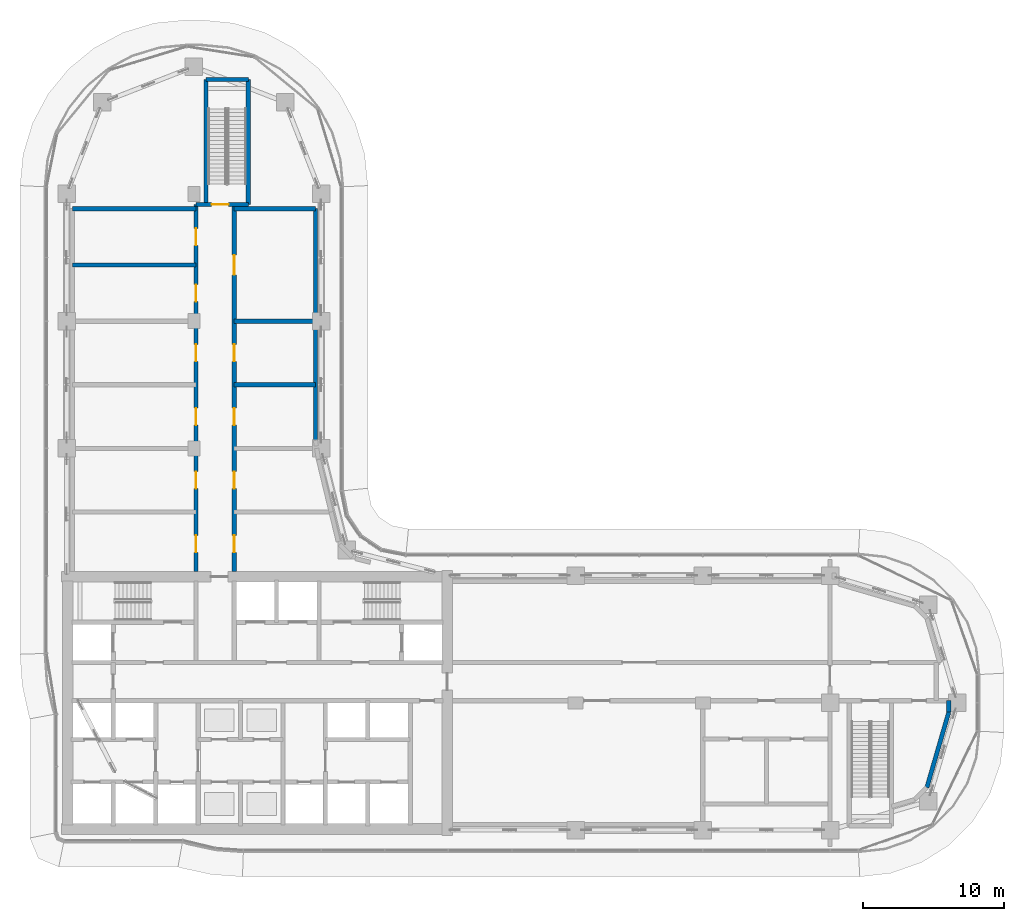
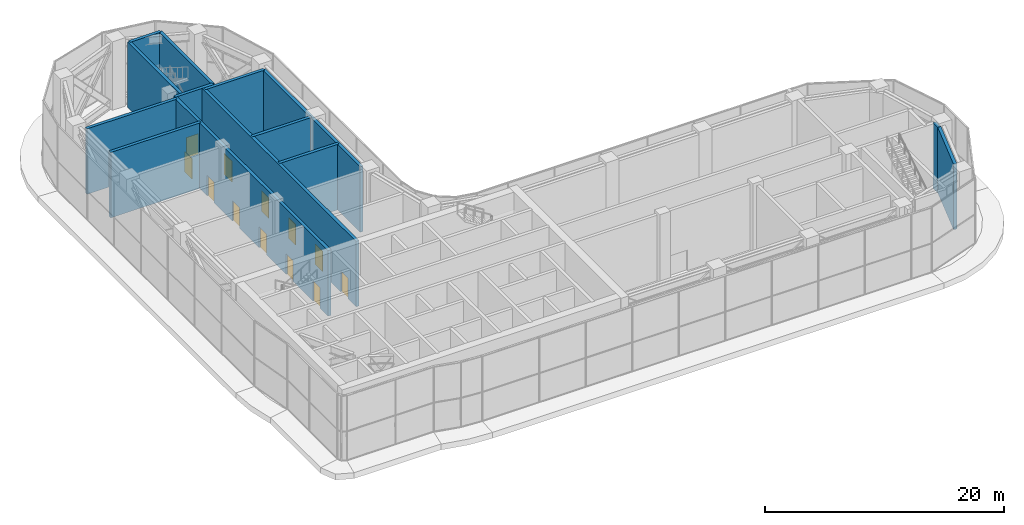
# One storey, part 18 of 35: 14 walls, 12 doors, 12 openings.
"""IFC4 building model written with IfcOpenShell, lengths in metres."""

from ifc_helpers import new_model, si_unit, direction, frame, frame_2d, origin, place, context, subcontext, project, spatial, rectangle, extrude, material, layer, layer_set, type_object, element, fill, save


model = new_model("IFC4")

# Units and contexts
model_context = context("Model", 3, precision=1e-05, world=origin(), true_north=direction((0.0, 1.0)))
body_context = subcontext(model_context, "Body", "Model", "MODEL_VIEW")
ifc_project = project(units=[si_unit("LENGTHUNIT", "METRE"), si_unit("AREAUNIT", "SQUARE_METRE"), si_unit("VOLUMEUNIT", "CUBIC_METRE"), si_unit("PLANEANGLEUNIT", "RADIAN"), si_unit("MASSUNIT", "GRAM", prefix="KILO")], contexts=[model_context])

# Site, building, storey
site_placement = place(None, origin())
site = spatial("IfcSite", under=ifc_project, at=site_placement, CompositionType="ELEMENT")
building_placement = place(site_placement, origin())
building = spatial("IfcBuilding", under=site, at=building_placement, Name="Ogive Portal Towers", CompositionType="ELEMENT")
storey_placement = place(building_placement, frame((0.0, 0.0, 135.199951171875)))
storey = spatial("IfcBuildingStorey", under=building, at=storey_placement, Name="L33", CompositionType="ELEMENT", Elevation=135.199951171875)

# Wall, opening, door
ifc_material_1 = material(Name="Concrete C50/60", Category="concrete")
ifc_layer_1 = layer(ifc_material_1, 0.300048828125)
ifc_layer_set_1 = layer_set([ifc_layer_1], Name="STAIR WALL 300 C50")
wall_type_1 = type_object("IfcWallType", Name="STAIR WALL 300 C50", PredefinedType="SHEAR", material=ifc_layer_set_1)
wall_1_placement = place(storey_placement, frame((40.64990234375, 65.75, 0.0), z_axis=(0.0, 0.0, 1.0), x_axis=(1.0, 0.0, 0.0)))
wall_1 = element("IfcWall", 1, at=wall_1_placement, inside=storey, type_object=wall_type_1, Name="Stair wall ST-A3 L33", PredefinedType="SHEAR", context=body_context, shape_type="SweptSolid", body=[
    extrude(rectangle(XDim=3.7001953125, YDim=0.300048828125, at=frame_2d((1.85009765625, 0.0))), origin(), (0.0, 0.0, 1.0), 6.699951171875),
])
opening_1_placement = place(wall_1_placement, frame((1.10009765625, 0.0, 0.0)))
opening_1 = element("IfcOpeningElement", 2, at=opening_1_placement, cuts=wall_1, Name="Opening D12-048", PredefinedType="OPENING", context=body_context, shape_type="SweptSolid", body=[
    extrude(rectangle(XDim=1.199951171875, YDim=2.10009765625, at=frame_2d((0.60009765625, 1.050048828125))), frame((0.0, 0.16015625, 0.0), z_axis=(0.0, -1.0, 0.0), x_axis=(1.0, 0.0, 0.0)), (0.0, 0.0, 1.0), 0.320068359375),
])
ifc_material_2 = material(Name="Steel fire door", Category="steel")
door_type_1 = type_object("IfcDoorType", Name="DT-STAIR-1200x2100-FD90S", OperationType="SINGLE_SWING_LEFT", PredefinedType="DOOR", material=ifc_material_2)
door_1_placement = place(opening_1_placement, origin())
door_1 = element("IfcDoor", 3, at=door_1_placement, inside=storey, type_object=door_type_1, Name="Door D12-048", OperationType="SINGLE_SWING_RIGHT", OverallHeight=2.10009765625, OverallWidth=1.199951171875, PredefinedType="DOOR", context=body_context, shape_type="SweptSolid", body=[
    extrude(rectangle(XDim=1.199951171875, YDim=2.10009765625, at=frame_2d((0.60009765625, 1.050048828125))), frame((0.0, 0.02490234375, 0.0), z_axis=(0.0, -1.0, 0.0), x_axis=(1.0, 0.0, 0.0)), (0.0, 0.0, 1.0), 0.050048828125),
])
fill(opening_1, door_1)

# Walls
wall_2_placement = place(storey_placement, frame((41.35009765625, 74.60009765625, 0.0), z_axis=(0.0, 0.0, 1.0), x_axis=(1.0, 0.0, 0.0)))
element("IfcWall", 4, at=wall_2_placement, inside=storey, type_object=wall_type_1, Name="Stair wall ST-A3 L33", PredefinedType="SHEAR", context=body_context, shape_type="SweptSolid", body=[
    extrude(rectangle(XDim=3.0, YDim=0.300048828125, at=frame_2d((1.5, 0.0))), origin(), (0.0, 0.0, 1.0), 6.699951171875),
])
for number, where, z_axis, x_axis, name in (
    (5, (41.35009765625, 65.75, 0.0), (0.0, 0.0, 1.0), (0.0, 1.0, 0.0), "Stair wall ST-A3 L33"),
    (6, (44.35009765625, 65.75, 0.0), (0.0, 0.0, 1.0), (0.0, 1.0, 0.0), "Stair wall ST-A3 L33"),
):
    element("IfcWall", number, at=place(storey_placement, frame(where, z_axis=z_axis, x_axis=x_axis)), inside=storey, type_object=wall_type_1, Name=name, PredefinedType="SHEAR", context=body_context, shape_type="SweptSolid", body=[
        extrude(rectangle(XDim=8.85009765625, YDim=0.300048828125, at=frame_2d((4.425048828125, 0.0))), origin(), (0.0, 0.0, 1.0), 6.699951171875),
    ])
ifc_material_3 = material(Name="Gypsum board partition on steel studs", Category="steel")
ifc_layer_2 = layer(ifc_material_3, 0.300048828125)
ifc_layer_set_2 = layer_set([ifc_layer_2], Name="WT-PART-300-EI 60")
wall_type_2 = type_object("IfcWallType", Name="WT-PART-300-EI 60", PredefinedType="PARTITIONING", material=ifc_layer_set_2)
wall_3_placement = place(storey_placement, frame((92.344970703125, 24.510009765625, 0.0), z_axis=(0.0, 0.0, 1.0), x_axis=(0.279240609455, 0.960221163082, 0.0)))
element("IfcWall", 7, at=wall_3_placement, inside=storey, type_object=wall_type_2, Name="Wall L33:w013", PredefinedType="PARTITIONING", context=body_context, shape_type="SweptSolid", body=[
    extrude(rectangle(XDim=5.568359375, YDim=0.300048828125, at=frame_2d((2.7841796875, 0.0))), origin(), (0.0, 0.0, 1.0), 6.699951171875),
])
for number, where, z_axis, x_axis, name in (
    (8, (43.35009765625, 53.0, 0.0), (0.0, 0.0, 1.0), (1.0, 0.0, 0.0), "Wall L33:w028"),
    (9, (43.35009765625, 57.5, 0.0), (0.0, 0.0, 1.0), (1.0, 0.0, 0.0), "Wall L33:w030"),
):
    element("IfcWall", number, at=place(storey_placement, frame(where, z_axis=z_axis, x_axis=x_axis)), inside=storey, type_object=wall_type_2, Name=name, PredefinedType="PARTITIONING", context=body_context, shape_type="SweptSolid", body=[
        extrude(rectangle(XDim=5.75, YDim=0.300048828125, at=frame_2d((2.875, 0.0))), origin(), (0.0, 0.0, 1.0), 6.699951171875),
    ])
for number, where, z_axis, x_axis, name in (
    (10, (31.89990234375, 61.47509765625, 0.0), (0.0, 0.0, 1.0), (1.0, 0.0, 0.0), "Wall L33:w031"),
    (11, (31.89990234375, 65.449951171875, 0.0), (0.0, 0.0, 1.0), (1.0, 0.0, 0.0), "Wall L33:w032"),
):
    element("IfcWall", number, at=place(storey_placement, frame(where, z_axis=z_axis, x_axis=x_axis)), inside=storey, type_object=wall_type_2, Name=name, PredefinedType="PARTITIONING", context=body_context, shape_type="SweptSolid", body=[
        extrude(rectangle(XDim=8.75, YDim=0.300048828125, at=frame_2d((4.375, 0.0))), origin(), (0.0, 0.0, 1.0), 6.699951171875),
    ])
wall_4_placement = place(storey_placement, frame((43.35009765625, 65.449951171875, 0.0), z_axis=(0.0, 0.0, 1.0), x_axis=(1.0, 0.0, 0.0)))
element("IfcWall", 12, at=wall_4_placement, inside=storey, type_object=wall_type_2, Name="Wall L33:w033", PredefinedType="PARTITIONING", context=body_context, shape_type="SweptSolid", body=[
    extrude(rectangle(XDim=5.75, YDim=0.300048828125, at=frame_2d((2.875, 0.0))), origin(), (0.0, 0.0, 1.0), 6.699951171875),
])

# Wall, openings, doors
wall_5_placement = place(storey_placement, frame((40.64990234375, 39.800048828125, 0.0), z_axis=(0.0, 0.0, 1.0), x_axis=(0.0, 1.0, 0.0)))
wall_5 = element("IfcWall", 13, at=wall_5_placement, inside=storey, type_object=wall_type_2, Name="Wall L33:w037", PredefinedType="PARTITIONING", context=body_context, shape_type="SweptSolid", body=[
    extrude(rectangle(XDim=25.949951171875, YDim=0.300048828125, at=frame_2d((12.97509765625, 0.0))), origin(), (0.0, 0.0, 1.0), 6.699951171875),
])
opening_2_placement = place(wall_5_placement, frame((1.35009765625, 0.0, 0.0)))
opening_2 = element("IfcOpeningElement", 14, at=opening_2_placement, cuts=wall_5, Name="Opening D12-036", PredefinedType="OPENING", context=body_context, shape_type="SweptSolid", body=[
    extrude(rectangle(XDim=1.199951171875, YDim=2.10009765625, at=frame_2d((0.60009765625, 1.050048828125))), frame((0.0, 0.16015625, 0.0), z_axis=(0.0, -1.0, 0.0), x_axis=(1.0, 0.0, 0.0)), (0.0, 0.0, 1.0), 0.320068359375),
])
opening_3_placement = place(wall_5_placement, frame((5.85009765625, 0.0, 0.0)))
opening_3 = element("IfcOpeningElement", 15, at=opening_3_placement, cuts=wall_5, Name="Opening D12-037", PredefinedType="OPENING", context=body_context, shape_type="SweptSolid", body=[
    extrude(rectangle(XDim=1.199951171875, YDim=2.10009765625, at=frame_2d((0.60009765625, 1.050048828125))), frame((0.0, 0.16015625, 0.0), z_axis=(0.0, -1.0, 0.0), x_axis=(1.0, 0.0, 0.0)), (0.0, 0.0, 1.0), 0.320068359375),
])
opening_4_placement = place(wall_5_placement, frame((10.35009765625, 0.0, 0.0)))
opening_4 = element("IfcOpeningElement", 16, at=opening_4_placement, cuts=wall_5, Name="Opening D12-040", PredefinedType="OPENING", context=body_context, shape_type="SweptSolid", body=[
    extrude(rectangle(XDim=1.199951171875, YDim=2.10009765625, at=frame_2d((0.60009765625, 1.050048828125))), frame((0.0, 0.16015625, 0.0), z_axis=(0.0, -1.0, 0.0), x_axis=(1.0, 0.0, 0.0)), (0.0, 0.0, 1.0), 0.320068359375),
])
opening_5_placement = place(wall_5_placement, frame((14.85009765625, 0.0, 0.0)))
opening_5 = element("IfcOpeningElement", 17, at=opening_5_placement, cuts=wall_5, Name="Opening D12-041", PredefinedType="OPENING", context=body_context, shape_type="SweptSolid", body=[
    extrude(rectangle(XDim=1.199951171875, YDim=2.10009765625, at=frame_2d((0.60009765625, 1.050048828125))), frame((0.0, 0.16015625, 0.0), z_axis=(0.0, -1.0, 0.0), x_axis=(1.0, 0.0, 0.0)), (0.0, 0.0, 1.0), 0.320068359375),
])
opening_6_placement = place(wall_5_placement, frame((19.0869140625, 0.0, 0.0)))
opening_6 = element("IfcOpeningElement", 18, at=opening_6_placement, cuts=wall_5, Name="Opening D12-043", PredefinedType="OPENING", context=body_context, shape_type="SweptSolid", body=[
    extrude(rectangle(XDim=1.199951171875, YDim=2.10009765625, at=frame_2d((0.60009765625, 1.050048828125))), frame((0.0, 0.16015625, 0.0), z_axis=(0.0, -1.0, 0.0), x_axis=(1.0, 0.0, 0.0)), (0.0, 0.0, 1.0), 0.320068359375),
])
opening_7_placement = place(wall_5_placement, frame((23.06298828125, 0.0, 0.0)))
opening_7 = element("IfcOpeningElement", 19, at=opening_7_placement, cuts=wall_5, Name="Opening D12-044", PredefinedType="OPENING", context=body_context, shape_type="SweptSolid", body=[
    extrude(rectangle(XDim=1.199951171875, YDim=2.10009765625, at=frame_2d((0.60009765625, 1.050048828125))), frame((0.0, 0.16015625, 0.0), z_axis=(0.0, -1.0, 0.0), x_axis=(1.0, 0.0, 0.0)), (0.0, 0.0, 1.0), 0.320068359375),
])
door_type_2 = type_object("IfcDoorType", Name="DT-ENTRY-1200x2100-FD60S", OperationType="SINGLE_SWING_LEFT", PredefinedType="DOOR", material=ifc_material_2)
door_2_placement = place(opening_2_placement, origin())
door_2 = element("IfcDoor", 20, at=door_2_placement, inside=storey, type_object=door_type_2, Name="Door D12-036", OperationType="SINGLE_SWING_RIGHT", OverallHeight=2.10009765625, OverallWidth=1.199951171875, PredefinedType="DOOR", context=body_context, shape_type="SweptSolid", body=[
    extrude(rectangle(XDim=1.199951171875, YDim=2.10009765625, at=frame_2d((0.60009765625, 1.050048828125))), frame((0.0, 0.02490234375, 0.0), z_axis=(0.0, -1.0, 0.0), x_axis=(1.0, 0.0, 0.0)), (0.0, 0.0, 1.0), 0.050048828125),
])
fill(opening_2, door_2)
door_3_placement = place(opening_3_placement, origin())
door_3 = element("IfcDoor", 21, at=door_3_placement, inside=storey, type_object=door_type_2, Name="Door D12-037", OperationType="SINGLE_SWING_LEFT", OverallHeight=2.10009765625, OverallWidth=1.199951171875, PredefinedType="DOOR", context=body_context, shape_type="SweptSolid", body=[
    extrude(rectangle(XDim=1.199951171875, YDim=2.10009765625, at=frame_2d((0.60009765625, 1.050048828125))), frame((0.0, 0.02490234375, 0.0), z_axis=(0.0, -1.0, 0.0), x_axis=(1.0, 0.0, 0.0)), (0.0, 0.0, 1.0), 0.050048828125),
])
fill(opening_3, door_3)
door_4_placement = place(opening_4_placement, origin())
door_4 = element("IfcDoor", 22, at=door_4_placement, inside=storey, type_object=door_type_2, Name="Door D12-040", OperationType="SINGLE_SWING_LEFT", OverallHeight=2.10009765625, OverallWidth=1.199951171875, PredefinedType="DOOR", context=body_context, shape_type="SweptSolid", body=[
    extrude(rectangle(XDim=1.199951171875, YDim=2.10009765625, at=frame_2d((0.60009765625, 1.050048828125))), frame((0.0, 0.02490234375, 0.0), z_axis=(0.0, -1.0, 0.0), x_axis=(1.0, 0.0, 0.0)), (0.0, 0.0, 1.0), 0.050048828125),
])
fill(opening_4, door_4)
door_5_placement = place(opening_5_placement, origin())
door_5 = element("IfcDoor", 23, at=door_5_placement, inside=storey, type_object=door_type_2, Name="Door D12-041", OperationType="SINGLE_SWING_LEFT", OverallHeight=2.10009765625, OverallWidth=1.199951171875, PredefinedType="DOOR", context=body_context, shape_type="SweptSolid", body=[
    extrude(rectangle(XDim=1.199951171875, YDim=2.10009765625, at=frame_2d((0.60009765625, 1.050048828125))), frame((0.0, 0.02490234375, 0.0), z_axis=(0.0, -1.0, 0.0), x_axis=(1.0, 0.0, 0.0)), (0.0, 0.0, 1.0), 0.050048828125),
])
fill(opening_5, door_5)
door_6_placement = place(opening_6_placement, origin())
door_6 = element("IfcDoor", 24, at=door_6_placement, inside=storey, type_object=door_type_2, Name="Door D12-043", OperationType="SINGLE_SWING_RIGHT", OverallHeight=2.10009765625, OverallWidth=1.199951171875, PredefinedType="DOOR", context=body_context, shape_type="SweptSolid", body=[
    extrude(rectangle(XDim=1.199951171875, YDim=2.10009765625, at=frame_2d((0.60009765625, 1.050048828125))), frame((0.0, 0.02490234375, 0.0), z_axis=(0.0, -1.0, 0.0), x_axis=(1.0, 0.0, 0.0)), (0.0, 0.0, 1.0), 0.050048828125),
])
fill(opening_6, door_6)
door_7_placement = place(opening_7_placement, origin())
door_7 = element("IfcDoor", 25, at=door_7_placement, inside=storey, type_object=door_type_2, Name="Door D12-044", OperationType="SINGLE_SWING_LEFT", OverallHeight=2.10009765625, OverallWidth=1.199951171875, PredefinedType="DOOR", context=body_context, shape_type="SweptSolid", body=[
    extrude(rectangle(XDim=1.199951171875, YDim=2.10009765625, at=frame_2d((0.60009765625, 1.050048828125))), frame((0.0, 0.02490234375, 0.0), z_axis=(0.0, -1.0, 0.0), x_axis=(1.0, 0.0, 0.0)), (0.0, 0.0, 1.0), 0.050048828125),
])
fill(opening_7, door_7)

# Walls
wall_6_placement = place(storey_placement, frame((49.10009765625, 49.069091796875, 0.0), z_axis=(0.0, 0.0, 1.0), x_axis=(0.0, 1.0, 0.0)))
element("IfcWall", 26, at=wall_6_placement, inside=storey, type_object=wall_type_2, Name="Wall L33:w041", PredefinedType="PARTITIONING", context=body_context, shape_type="SweptSolid", body=[
    extrude(rectangle(XDim=16.380859375, YDim=0.300048828125, at=frame_2d((8.1904296875, 0.0))), origin(), (0.0, 0.0, 1.0), 6.699951171875),
])
wall_7_placement = place(storey_placement, frame((93.89990234375, 29.85693359375, 0.0), z_axis=(0.0, 0.0, 1.0), x_axis=(0.0, 1.0, 0.0)))
element("IfcWall", 27, at=wall_7_placement, inside=storey, type_object=wall_type_2, Name="Wall L33:w047", PredefinedType="PARTITIONING", context=body_context, shape_type="SweptSolid", body=[
    extrude(rectangle(XDim=0.79296875, YDim=0.300048828125, at=frame_2d((0.396484375, 0.0))), origin(), (0.0, 0.0, 1.0), 6.699951171875),
])

# Wall, openings, doors
ifc_material_4 = material(Name="Concrete C40/50", Category="concrete")
ifc_layer_3 = layer(ifc_material_4, 0.300048828125)
ifc_layer_set_3 = layer_set([ifc_layer_3], Name="WT-SHAFT-300")
wall_type_3 = type_object("IfcWallType", Name="WT-SHAFT-300", PredefinedType="SOLIDWALL", material=ifc_layer_set_3)
wall_8_placement = place(storey_placement, frame((43.35009765625, 39.800048828125, 0.0), z_axis=(0.0, 0.0, 1.0), x_axis=(0.0, 1.0, 0.0)))
wall_8 = element("IfcWall", 28, at=wall_8_placement, inside=storey, type_object=wall_type_3, Name="Wall L33:w039", PredefinedType="SOLIDWALL", context=body_context, shape_type="SweptSolid", body=[
    extrude(rectangle(XDim=25.949951171875, YDim=0.300048828125, at=frame_2d((12.97509765625, 0.0))), origin(), (0.0, 0.0, 1.0), 6.699951171875),
])
opening_8_placement = place(wall_8_placement, frame((1.35009765625, 0.0, 0.0)))
opening_8 = element("IfcOpeningElement", 29, at=opening_8_placement, cuts=wall_8, Name="Opening D12-034", PredefinedType="OPENING", context=body_context, shape_type="SweptSolid", body=[
    extrude(rectangle(XDim=1.199951171875, YDim=2.10009765625, at=frame_2d((0.60009765625, 1.050048828125))), frame((0.0, 0.16015625, 0.0), z_axis=(0.0, -1.0, 0.0), x_axis=(1.0, 0.0, 0.0)), (0.0, 0.0, 1.0), 0.320068359375),
])
opening_9_placement = place(wall_8_placement, frame((5.85009765625, 0.0, 0.0)))
opening_9 = element("IfcOpeningElement", 30, at=opening_9_placement, cuts=wall_8, Name="Opening D12-035", PredefinedType="OPENING", context=body_context, shape_type="SweptSolid", body=[
    extrude(rectangle(XDim=1.199951171875, YDim=2.10009765625, at=frame_2d((0.60009765625, 1.050048828125))), frame((0.0, 0.16015625, 0.0), z_axis=(0.0, -1.0, 0.0), x_axis=(1.0, 0.0, 0.0)), (0.0, 0.0, 1.0), 0.320068359375),
])
opening_10_placement = place(wall_8_placement, frame((10.35009765625, 0.0, 0.0)))
opening_10 = element("IfcOpeningElement", 31, at=opening_10_placement, cuts=wall_8, Name="Opening D12-038", PredefinedType="OPENING", context=body_context, shape_type="SweptSolid", body=[
    extrude(rectangle(XDim=1.199951171875, YDim=2.10009765625, at=frame_2d((0.60009765625, 1.050048828125))), frame((0.0, 0.16015625, 0.0), z_axis=(0.0, -1.0, 0.0), x_axis=(1.0, 0.0, 0.0)), (0.0, 0.0, 1.0), 0.320068359375),
])
opening_11_placement = place(wall_8_placement, frame((14.85009765625, 0.0, 0.0)))
opening_11 = element("IfcOpeningElement", 32, at=opening_11_placement, cuts=wall_8, Name="Opening D12-039", PredefinedType="OPENING", context=body_context, shape_type="SweptSolid", body=[
    extrude(rectangle(XDim=1.199951171875, YDim=2.10009765625, at=frame_2d((0.60009765625, 1.050048828125))), frame((0.0, 0.16015625, 0.0), z_axis=(0.0, -1.0, 0.0), x_axis=(1.0, 0.0, 0.0)), (0.0, 0.0, 1.0), 0.320068359375),
])
opening_12_placement = place(wall_8_placement, frame((20.97509765625, 0.0, 0.0)))
opening_12 = element("IfcOpeningElement", 33, at=opening_12_placement, cuts=wall_8, Name="Opening D12-042", PredefinedType="OPENING", context=body_context, shape_type="SweptSolid", body=[
    extrude(rectangle(XDim=1.39990234375, YDim=2.10009765625, at=frame_2d((0.699951171875, 1.050048828125))), frame((0.0, 0.16015625, 0.0), z_axis=(0.0, -1.0, 0.0), x_axis=(1.0, 0.0, 0.0)), (0.0, 0.0, 1.0), 0.320068359375),
])
door_type_3 = type_object("IfcDoorType", Name="DT-ENTRY-1200x2100-FD90S", OperationType="SINGLE_SWING_LEFT", PredefinedType="DOOR", material=ifc_material_2)
door_8_placement = place(opening_8_placement, origin())
door_8 = element("IfcDoor", 34, at=door_8_placement, inside=storey, type_object=door_type_3, Name="Door D12-034", OperationType="SINGLE_SWING_LEFT", OverallHeight=2.10009765625, OverallWidth=1.199951171875, PredefinedType="DOOR", context=body_context, shape_type="SweptSolid", body=[
    extrude(rectangle(XDim=1.199951171875, YDim=2.10009765625, at=frame_2d((0.60009765625, 1.050048828125))), frame((0.0, 0.02490234375, 0.0), z_axis=(0.0, -1.0, 0.0), x_axis=(1.0, 0.0, 0.0)), (0.0, 0.0, 1.0), 0.050048828125),
])
fill(opening_8, door_8)
door_9_placement = place(opening_9_placement, origin())
door_9 = element("IfcDoor", 35, at=door_9_placement, inside=storey, type_object=door_type_3, Name="Door D12-035", OperationType="SINGLE_SWING_LEFT", OverallHeight=2.10009765625, OverallWidth=1.199951171875, PredefinedType="DOOR", context=body_context, shape_type="SweptSolid", body=[
    extrude(rectangle(XDim=1.199951171875, YDim=2.10009765625, at=frame_2d((0.60009765625, 1.050048828125))), frame((0.0, 0.02490234375, 0.0), z_axis=(0.0, -1.0, 0.0), x_axis=(1.0, 0.0, 0.0)), (0.0, 0.0, 1.0), 0.050048828125),
])
fill(opening_9, door_9)
door_10_placement = place(opening_10_placement, origin())
door_10 = element("IfcDoor", 36, at=door_10_placement, inside=storey, type_object=door_type_3, Name="Door D12-038", OperationType="SINGLE_SWING_LEFT", OverallHeight=2.10009765625, OverallWidth=1.199951171875, PredefinedType="DOOR", context=body_context, shape_type="SweptSolid", body=[
    extrude(rectangle(XDim=1.199951171875, YDim=2.10009765625, at=frame_2d((0.60009765625, 1.050048828125))), frame((0.0, 0.02490234375, 0.0), z_axis=(0.0, -1.0, 0.0), x_axis=(1.0, 0.0, 0.0)), (0.0, 0.0, 1.0), 0.050048828125),
])
fill(opening_10, door_10)
door_11_placement = place(opening_11_placement, origin())
door_11 = element("IfcDoor", 37, at=door_11_placement, inside=storey, type_object=door_type_3, Name="Door D12-039", OperationType="SINGLE_SWING_RIGHT", OverallHeight=2.10009765625, OverallWidth=1.199951171875, PredefinedType="DOOR", context=body_context, shape_type="SweptSolid", body=[
    extrude(rectangle(XDim=1.199951171875, YDim=2.10009765625, at=frame_2d((0.60009765625, 1.050048828125))), frame((0.0, 0.02490234375, 0.0), z_axis=(0.0, -1.0, 0.0), x_axis=(1.0, 0.0, 0.0)), (0.0, 0.0, 1.0), 0.050048828125),
])
fill(opening_11, door_11)
door_type_4 = type_object("IfcDoorType", Name="DT-ENTRY-1400x2100-FD90S", OperationType="SINGLE_SWING_LEFT", PredefinedType="DOOR", material=ifc_material_2)
door_12_placement = place(opening_12_placement, origin())
door_12 = element("IfcDoor", 38, at=door_12_placement, inside=storey, type_object=door_type_4, Name="Door D12-042", OperationType="SINGLE_SWING_LEFT", OverallHeight=2.10009765625, OverallWidth=1.39990234375, PredefinedType="DOOR", context=body_context, shape_type="SweptSolid", body=[
    extrude(rectangle(XDim=1.39990234375, YDim=2.10009765625, at=frame_2d((0.699951171875, 1.050048828125))), frame((0.0, 0.02490234375, 0.0), z_axis=(0.0, -1.0, 0.0), x_axis=(1.0, 0.0, 0.0)), (0.0, 0.0, 1.0), 0.050048828125),
])
fill(opening_12, door_12)

save(model, "model.ifc")
